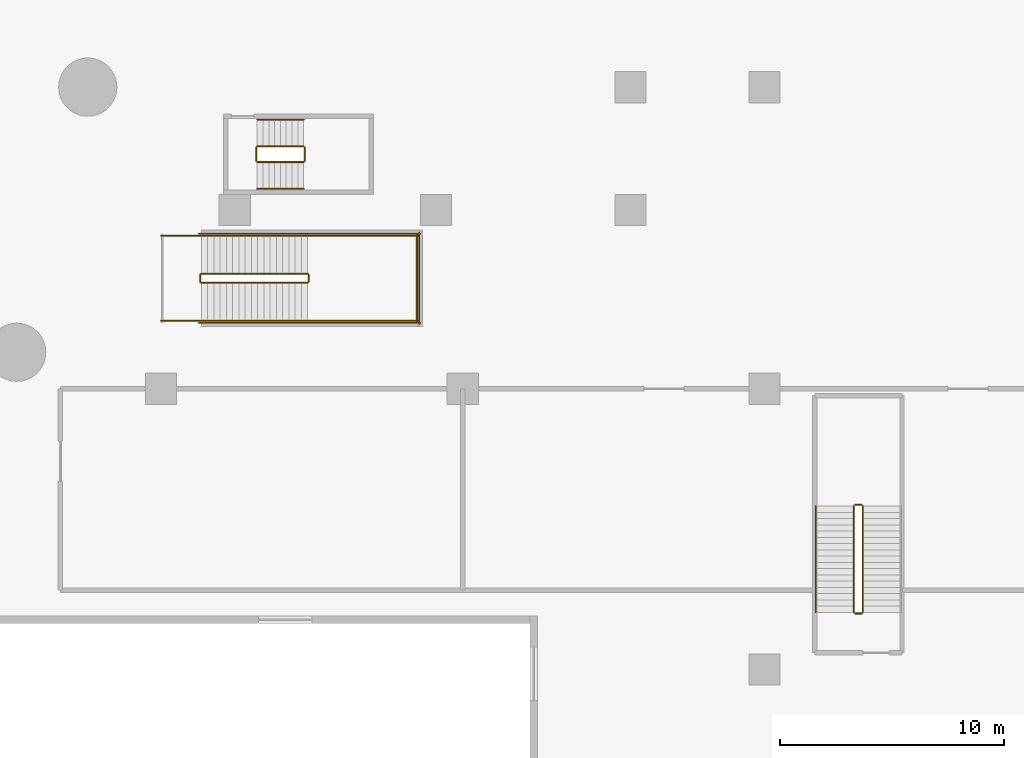
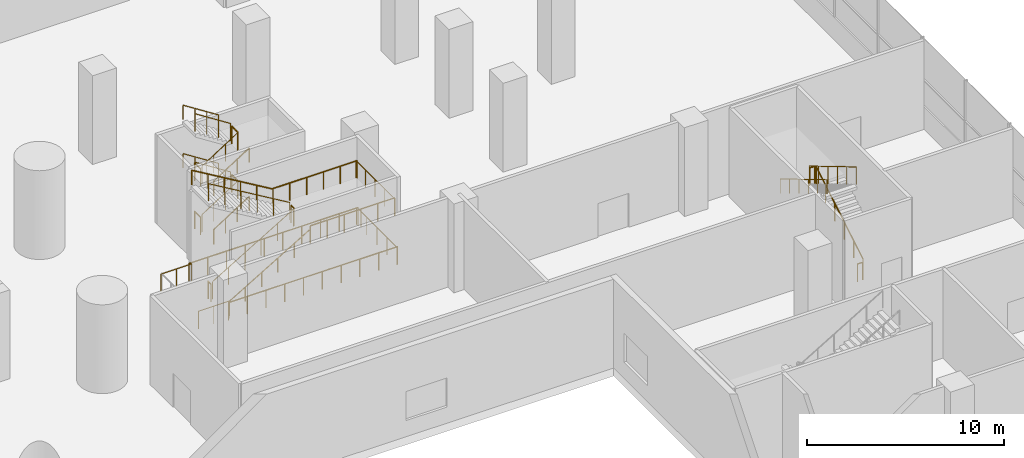
# One storey, part 46 of 52: 31 railings.
"""IFC4 building model written with IfcOpenShell, lengths in metres."""

from ifc_helpers import new_model, si_unit, direction, frame, origin, origin_2d, place, context, subcontext, project, spatial, circle, extrude, material, type_object, element, save


model = new_model("IFC4")

# Units and contexts
model_context = context("Model", 3, precision=1e-05, world=origin(), true_north=direction((0.0, 1.0)))
body_context = subcontext(model_context, "Body", "Model", "MODEL_VIEW")
ifc_project = project(units=[si_unit("LENGTHUNIT", "METRE"), si_unit("AREAUNIT", "SQUARE_METRE"), si_unit("VOLUMEUNIT", "CUBIC_METRE"), si_unit("PLANEANGLEUNIT", "RADIAN"), si_unit("MASSUNIT", "GRAM", prefix="KILO")], contexts=[model_context])

# Site, building, storey
site_placement = place(None, origin())
site = spatial("IfcSite", under=ifc_project, at=site_placement, CompositionType="ELEMENT")
building_placement = place(site_placement, origin())
building = spatial("IfcBuilding", under=site, at=building_placement, Name="Tamarind Cross Interchange Tower", CompositionType="ELEMENT")
storey_placement = place(building_placement, frame((0.0, 0.0, 9.0)))
storey = spatial("IfcBuildingStorey", under=building, at=storey_placement, Name="L01", CompositionType="ELEMENT", Elevation=9.0)

# Railings
ifc_material_1 = material(Name="Public stair guard")
railing_type_1 = type_object("IfcRailingType", Name="Public stair guard", PredefinedType="GUARDRAIL", material=ifc_material_1)
railing_1_placement = place(storey_placement, frame((28.800048828125, -8.75, 0.166748046875)))
element("IfcRailing", 1, at=railing_1_placement, inside=storey, type_object=railing_type_1, Name="L01 PS-E stair guard 1", PredefinedType="GUARDRAIL", context=body_context, shape_type="SweptSolid", body=[
    extrude(circle(Radius=0.02392578125, at=origin_2d()), frame((0.0, 0.0, 1.076171875), z_axis=(0.859299802514, 0.0, 0.511472237174), x_axis=(0.0, 1.0, 0.0)), (0.0, 0.0, 1.0), 5.539306640625),
    extrude(circle(Radius=0.02099609375, at=origin_2d()), origin(), (0.0, 0.0, 1.0), 1.052001953125),
    extrude(circle(Radius=0.02099609375, at=origin_2d()), frame((0.951904296875, 0.0, 0.566650390625)), (0.0, 0.0, 1.0), 1.052001953125),
    extrude(circle(Radius=0.02099609375, at=origin_2d()), frame((1.904052734375, 0.0, 1.13330078125)), (0.0, 0.0, 1.0), 1.052001953125),
    extrude(circle(Radius=0.02099609375, at=origin_2d()), frame((2.85595703125, 0.0, 1.699951171875)), (0.0, 0.0, 1.0), 1.052001953125),
    extrude(circle(Radius=0.02099609375, at=origin_2d()), frame((3.80810546875, 0.0, 2.2666015625)), (0.0, 0.0, 1.0), 1.052001953125),
    extrude(circle(Radius=0.02099609375, at=origin_2d()), frame((4.760009765625, 0.0, 2.833251953125)), (0.0, 0.0, 1.0), 1.052001953125),
])
railing_2_placement = place(storey_placement, frame((33.610107421875, -8.699951171875, 3.0)))
element("IfcRailing", 2, at=railing_2_placement, inside=storey, type_object=railing_type_1, Name="L01 PS-E stair guard 2", PredefinedType="GUARDRAIL", context=body_context, shape_type="SweptSolid", body=[
    extrude(circle(Radius=0.02392578125, at=origin_2d()), frame((0.0, 0.0, 1.076171875), z_axis=(0.0, 1.0, 0.0), x_axis=(-1.0, 0.0, 0.0)), (0.0, 0.0, 1.0), 0.300048828125),
    extrude(circle(Radius=0.02099609375, at=origin_2d()), origin(), (0.0, 0.0, 1.0), 1.052001953125),
    extrude(circle(Radius=0.02099609375, at=origin_2d()), frame((0.0, 0.300048828125, 0.0)), (0.0, 0.0, 1.0), 1.052001953125),
])
for number, where, name in (
    (3, (33.56005859375, -10.449951171875, 3.0), "L01 PS-E stair guard 3"),
    (4, (33.56005859375, -6.64990234375, 3.0), "L01 PS-E stair guard 4"),
):
    element("IfcRailing", number, at=place(storey_placement, frame(where)), inside=storey, type_object=railing_type_1, Name=name, PredefinedType="GUARDRAIL", context=body_context, shape_type="SweptSolid", body=[
        extrude(circle(Radius=0.02392578125, at=origin_2d()), frame((0.0, 0.0, 1.076171875), z_axis=(1.0, 0.0, 0.0), x_axis=(0.0, 1.0, 0.0)), (0.0, 0.0, 1.0), 4.93994140625),
        extrude(circle(Radius=0.02099609375, at=origin_2d()), origin(), (0.0, 0.0, 1.0), 1.052001953125),
        extrude(circle(Radius=0.02099609375, at=origin_2d()), frame((0.988037109375, 0.0, 0.0)), (0.0, 0.0, 1.0), 1.052001953125),
        extrude(circle(Radius=0.02099609375, at=origin_2d()), frame((1.97607421875, 0.0, 0.0)), (0.0, 0.0, 1.0), 1.052001953125),
        extrude(circle(Radius=0.02099609375, at=origin_2d()), frame((2.9638671875, 0.0, 0.0)), (0.0, 0.0, 1.0), 1.052001953125),
        extrude(circle(Radius=0.02099609375, at=origin_2d()), frame((3.951904296875, 0.0, 0.0)), (0.0, 0.0, 1.0), 1.052001953125),
        extrude(circle(Radius=0.02099609375, at=origin_2d()), frame((4.93994140625, 0.0, 0.0)), (0.0, 0.0, 1.0), 1.052001953125),
    ])
railing_3_placement = place(storey_placement, frame((38.449951171875, -10.5, 3.0)))
element("IfcRailing", 5, at=railing_3_placement, inside=storey, type_object=railing_type_1, Name="L01 PS-E stair guard 5", PredefinedType="GUARDRAIL", context=body_context, shape_type="SweptSolid", body=[
    extrude(circle(Radius=0.02392578125, at=origin_2d()), frame((0.0, 0.0, 1.076171875), z_axis=(0.0, 1.0, 0.0), x_axis=(-1.0, 0.0, 0.0)), (0.0, 0.0, 1.0), 3.89990234375),
    extrude(circle(Radius=0.02099609375, at=origin_2d()), origin(), (0.0, 0.0, 1.0), 1.052001953125),
    extrude(circle(Radius=0.02099609375, at=origin_2d()), frame((0.0, 0.97509765625, 0.0)), (0.0, 0.0, 1.0), 1.052001953125),
    extrude(circle(Radius=0.02099609375, at=origin_2d()), frame((0.0, 1.949951171875, 0.0)), (0.0, 0.0, 1.0), 1.052001953125),
    extrude(circle(Radius=0.02099609375, at=origin_2d()), frame((0.0, 2.9248046875, 0.0)), (0.0, 0.0, 1.0), 1.052001953125),
    extrude(circle(Radius=0.02099609375, at=origin_2d()), frame((0.0, 3.89990234375, 0.0)), (0.0, 0.0, 1.0), 1.052001953125),
])
railing_4_placement = place(storey_placement, frame((33.56005859375, -8.35009765625, 3.166748046875)))
element("IfcRailing", 6, at=railing_4_placement, inside=storey, type_object=railing_type_1, Name="L01 PS-E stair guard 6", PredefinedType="GUARDRAIL", context=body_context, shape_type="SweptSolid", body=[
    extrude(circle(Radius=0.02392578125, at=origin_2d()), frame((0.0, 0.0, 1.076171875), z_axis=(-0.859299802514, 0.0, 0.511472237174), x_axis=(0.0, -1.0, 0.0)), (0.0, 0.0, 1.0), 5.539306640625),
    extrude(circle(Radius=0.02099609375, at=origin_2d()), origin(), (0.0, 0.0, 1.0), 1.052001953125),
    extrude(circle(Radius=0.02099609375, at=origin_2d()), frame((-0.951904296875, 0.0, 0.566650390625)), (0.0, 0.0, 1.0), 1.052001953125),
    extrude(circle(Radius=0.02099609375, at=origin_2d()), frame((-1.904052734375, 0.0, 1.13330078125)), (0.0, 0.0, 1.0), 1.052001953125),
    extrude(circle(Radius=0.02099609375, at=origin_2d()), frame((-2.85595703125, 0.0, 1.699951171875)), (0.0, 0.0, 1.0), 1.052001953125),
    extrude(circle(Radius=0.02099609375, at=origin_2d()), frame((-3.80810546875, 0.0, 2.2666015625)), (0.0, 0.0, 1.0), 1.052001953125),
    extrude(circle(Radius=0.02099609375, at=origin_2d()), frame((-4.760009765625, 0.0, 2.833251953125)), (0.0, 0.0, 1.0), 1.052001953125),
])
railing_5_placement = place(storey_placement, frame((28.75, -8.699951171875, 0.0)))
element("IfcRailing", 7, at=railing_5_placement, inside=storey, type_object=railing_type_1, Name="L01 PS-E stair guard 7", PredefinedType="GUARDRAIL", context=body_context, shape_type="SweptSolid", body=[
    extrude(circle(Radius=0.02392578125, at=origin_2d()), frame((0.0, 0.0, 1.076171875), z_axis=(0.0, 1.0, 0.0), x_axis=(-1.0, 0.0, 0.0)), (0.0, 0.0, 1.0), 0.300048828125),
    extrude(circle(Radius=0.02099609375, at=origin_2d()), origin(), (0.0, 0.0, 1.0), 1.052001953125),
    extrude(circle(Radius=0.02099609375, at=origin_2d()), frame((0.0, 0.300048828125, 0.0)), (0.0, 0.0, 1.0), 1.052001953125),
])
for number, where, name in (
    (8, (27.0, -10.449951171875, 0.0), "L01 PS-E stair guard 8"),
    (9, (27.0, -6.64990234375, 0.0), "L01 PS-E stair guard 9"),
):
    element("IfcRailing", number, at=place(storey_placement, frame(where)), inside=storey, type_object=railing_type_1, Name=name, PredefinedType="GUARDRAIL", context=body_context, shape_type="SweptSolid", body=[
        extrude(circle(Radius=0.02392578125, at=origin_2d()), frame((0.0, 0.0, 1.076171875), z_axis=(1.0, 0.0, 0.0), x_axis=(0.0, 1.0, 0.0)), (0.0, 0.0, 1.0), 1.800048828125),
        extrude(circle(Radius=0.02099609375, at=origin_2d()), origin(), (0.0, 0.0, 1.0), 1.052001953125),
        extrude(circle(Radius=0.02099609375, at=origin_2d()), frame((0.89990234375, 0.0, 0.0)), (0.0, 0.0, 1.0), 1.052001953125),
        extrude(circle(Radius=0.02099609375, at=origin_2d()), frame((1.800048828125, 0.0, 0.0)), (0.0, 0.0, 1.0), 1.052001953125),
    ])
for number, where, name in (
    (10, (28.699951171875, -10.550048828125, 0.0), "L01 PS-E stair guard 11"),
    (11, (28.699951171875, -6.550048828125, 0.0), "L01 PS-E stair guard 12"),
):
    element("IfcRailing", number, at=place(storey_placement, frame(where)), inside=storey, type_object=railing_type_1, Name=name, PredefinedType="GUARDRAIL", context=body_context, shape_type="SweptSolid", body=[
        extrude(circle(Radius=0.02392578125, at=origin_2d()), frame((0.0, 0.0, 1.076171875), z_axis=(1.0, 0.0, 0.0), x_axis=(0.0, 1.0, 0.0)), (0.0, 0.0, 1.0), 9.900146484375),
        extrude(circle(Radius=0.02099609375, at=origin_2d()), origin(), (0.0, 0.0, 1.0), 1.052001953125),
        extrude(circle(Radius=0.02099609375, at=origin_2d()), frame((1.10009765625, 0.0, 0.0)), (0.0, 0.0, 1.0), 1.052001953125),
        extrude(circle(Radius=0.02099609375, at=origin_2d()), frame((2.199951171875, 0.0, 0.0)), (0.0, 0.0, 1.0), 1.052001953125),
        extrude(circle(Radius=0.02099609375, at=origin_2d()), frame((3.300048828125, 0.0, 0.0)), (0.0, 0.0, 1.0), 1.052001953125),
        extrude(circle(Radius=0.02099609375, at=origin_2d()), frame((4.400146484375, 0.0, 0.0)), (0.0, 0.0, 1.0), 1.052001953125),
        extrude(circle(Radius=0.02099609375, at=origin_2d()), frame((5.5, 0.0, 0.0)), (0.0, 0.0, 1.0), 1.052001953125),
        extrude(circle(Radius=0.02099609375, at=origin_2d()), frame((6.60009765625, 0.0, 0.0)), (0.0, 0.0, 1.0), 1.052001953125),
        extrude(circle(Radius=0.02099609375, at=origin_2d()), frame((7.7001953125, 0.0, 0.0)), (0.0, 0.0, 1.0), 1.052001953125),
        extrude(circle(Radius=0.02099609375, at=origin_2d()), frame((8.800048828125, 0.0, 0.0)), (0.0, 0.0, 1.0), 1.052001953125),
        extrude(circle(Radius=0.02099609375, at=origin_2d()), frame((9.900146484375, 0.0, 0.0)), (0.0, 0.0, 1.0), 1.052001953125),
    ])
railing_6_placement = place(storey_placement, frame((38.550048828125, -10.60009765625, 0.0)))
element("IfcRailing", 12, at=railing_6_placement, inside=storey, type_object=railing_type_1, Name="L01 PS-E stair guard 13", PredefinedType="GUARDRAIL", context=body_context, shape_type="SweptSolid", body=[
    extrude(circle(Radius=0.02392578125, at=origin_2d()), frame((0.0, 0.0, 1.076171875), z_axis=(0.0, 1.0, 0.0), x_axis=(-1.0, 0.0, 0.0)), (0.0, 0.0, 1.0), 4.10009765625),
    extrude(circle(Radius=0.02099609375, at=origin_2d()), origin(), (0.0, 0.0, 1.0), 1.052001953125),
    extrude(circle(Radius=0.02099609375, at=origin_2d()), frame((0.0, 1.02490234375, 0.0)), (0.0, 0.0, 1.0), 1.052001953125),
    extrude(circle(Radius=0.02099609375, at=origin_2d()), frame((0.0, 2.050048828125, 0.0)), (0.0, 0.0, 1.0), 1.052001953125),
    extrude(circle(Radius=0.02099609375, at=origin_2d()), frame((0.0, 3.0751953125, 0.0)), (0.0, 0.0, 1.0), 1.052001953125),
    extrude(circle(Radius=0.02099609375, at=origin_2d()), frame((0.0, 4.10009765625, 0.0)), (0.0, 0.0, 1.0), 1.052001953125),
])
railing_7_placement = place(storey_placement, frame((58.39990234375, -23.5, 0.166748046875)))
element("IfcRailing", 13, at=railing_7_placement, inside=storey, type_object=railing_type_1, Name="L01 XS-P11 stair guard 1", PredefinedType="GUARDRAIL", context=body_context, shape_type="SweptSolid", body=[
    extrude(circle(Radius=0.02392578125, at=origin_2d()), frame((0.0, 0.0, 1.076171875), z_axis=(0.0, 0.859299802514, 0.511472237174), x_axis=(-1.0, 0.0, 0.0)), (0.0, 0.0, 1.0), 5.539306640625),
    extrude(circle(Radius=0.02099609375, at=origin_2d()), origin(), (0.0, 0.0, 1.0), 1.052001953125),
    extrude(circle(Radius=0.02099609375, at=origin_2d()), frame((0.0, 0.951904296875, 0.566650390625)), (0.0, 0.0, 1.0), 1.052001953125),
    extrude(circle(Radius=0.02099609375, at=origin_2d()), frame((0.0, 1.904052734375, 1.13330078125)), (0.0, 0.0, 1.0), 1.052001953125),
    extrude(circle(Radius=0.02099609375, at=origin_2d()), frame((0.0, 2.85595703125, 1.699951171875)), (0.0, 0.0, 1.0), 1.052001953125),
    extrude(circle(Radius=0.02099609375, at=origin_2d()), frame((0.0, 3.80810546875, 2.2666015625)), (0.0, 0.0, 1.0), 1.052001953125),
    extrude(circle(Radius=0.02099609375, at=origin_2d()), frame((0.0, 4.760009765625, 2.833251953125)), (0.0, 0.0, 1.0), 1.052001953125),
])
railing_8_placement = place(storey_placement, frame((58.35009765625, -18.68994140625, 3.0)))
element("IfcRailing", 14, at=railing_8_placement, inside=storey, type_object=railing_type_1, Name="L01 XS-P11 stair guard 2", PredefinedType="GUARDRAIL", context=body_context, shape_type="SweptSolid", body=[
    extrude(circle(Radius=0.02392578125, at=origin_2d()), frame((0.0, 0.0, 1.076171875), z_axis=(-1.0, 0.0, 0.0), x_axis=(0.0, -1.0, 0.0)), (0.0, 0.0, 1.0), 0.300048828125),
    extrude(circle(Radius=0.02099609375, at=origin_2d()), origin(), (0.0, 0.0, 1.0), 1.052001953125),
    extrude(circle(Radius=0.02099609375, at=origin_2d()), frame((-0.300048828125, 0.0, 0.0)), (0.0, 0.0, 1.0), 1.052001953125),
])
railing_9_placement = place(storey_placement, frame((58.0, -18.739990234375, 3.166748046875)))
element("IfcRailing", 15, at=railing_9_placement, inside=storey, type_object=railing_type_1, Name="L01 XS-P11 stair guard 3", PredefinedType="GUARDRAIL", context=body_context, shape_type="SweptSolid", body=[
    extrude(circle(Radius=0.02392578125, at=origin_2d()), frame((0.0, 0.0, 1.076171875), z_axis=(0.0, -0.859299802514, 0.511472237174), x_axis=(1.0, 0.0, 0.0)), (0.0, 0.0, 1.0), 5.539306640625),
    extrude(circle(Radius=0.02099609375, at=origin_2d()), origin(), (0.0, 0.0, 1.0), 1.052001953125),
    extrude(circle(Radius=0.02099609375, at=origin_2d()), frame((0.0, -0.951904296875, 0.566650390625)), (0.0, 0.0, 1.0), 1.052001953125),
    extrude(circle(Radius=0.02099609375, at=origin_2d()), frame((0.0, -1.904052734375, 1.13330078125)), (0.0, 0.0, 1.0), 1.052001953125),
    extrude(circle(Radius=0.02099609375, at=origin_2d()), frame((0.0, -2.85595703125, 1.699951171875)), (0.0, 0.0, 1.0), 1.052001953125),
    extrude(circle(Radius=0.02099609375, at=origin_2d()), frame((0.0, -3.80810546875, 2.2666015625)), (0.0, 0.0, 1.0), 1.052001953125),
    extrude(circle(Radius=0.02099609375, at=origin_2d()), frame((0.0, -4.760009765625, 2.833251953125)), (0.0, 0.0, 1.0), 1.052001953125),
])
railing_10_placement = place(storey_placement, frame((58.35009765625, -23.550048828125, 0.0)))
element("IfcRailing", 16, at=railing_10_placement, inside=storey, type_object=railing_type_1, Name="L01 XS-P11 stair guard 4", PredefinedType="GUARDRAIL", context=body_context, shape_type="SweptSolid", body=[
    extrude(circle(Radius=0.02392578125, at=origin_2d()), frame((0.0, 0.0, 1.076171875), z_axis=(-1.0, 0.0, 0.0), x_axis=(0.0, -1.0, 0.0)), (0.0, 0.0, 1.0), 0.300048828125),
    extrude(circle(Radius=0.02099609375, at=origin_2d()), origin(), (0.0, 0.0, 1.0), 1.052001953125),
    extrude(circle(Radius=0.02099609375, at=origin_2d()), frame((-0.300048828125, 0.0, 0.0)), (0.0, 0.0, 1.0), 1.052001953125),
])
ifc_material_2 = material(Name="Public stair handrail")
railing_type_2 = type_object("IfcRailingType", Name="Public stair handrail", PredefinedType="HANDRAIL", material=ifc_material_2)
railing_11_placement = place(storey_placement, frame((28.800048828125, -10.449951171875, 0.166748046875)))
element("IfcRailing", 17, at=railing_11_placement, inside=storey, type_object=railing_type_2, Name="L01 PS-E stair handrail 1", PredefinedType="HANDRAIL", context=body_context, shape_type="SweptSolid", body=[
    extrude(circle(Radius=0.02392578125, at=origin_2d()), frame((0.0, 0.0, 0.8759765625), z_axis=(0.859299802514, 0.0, 0.511472237174), x_axis=(0.0, 1.0, 0.0)), (0.0, 0.0, 1.0), 5.539306640625),
    extrude(circle(Radius=0.02099609375, at=origin_2d()), origin(), (0.0, 0.0, 1.0), 0.851806640625),
    extrude(circle(Radius=0.02099609375, at=origin_2d()), frame((0.951904296875, 0.0, 0.566650390625)), (0.0, 0.0, 1.0), 0.851806640625),
    extrude(circle(Radius=0.02099609375, at=origin_2d()), frame((1.904052734375, 0.0, 1.13330078125)), (0.0, 0.0, 1.0), 0.851806640625),
    extrude(circle(Radius=0.02099609375, at=origin_2d()), frame((2.85595703125, 0.0, 1.699951171875)), (0.0, 0.0, 1.0), 0.851806640625),
    extrude(circle(Radius=0.02099609375, at=origin_2d()), frame((3.80810546875, 0.0, 2.2666015625)), (0.0, 0.0, 1.0), 0.851806640625),
    extrude(circle(Radius=0.02099609375, at=origin_2d()), frame((4.760009765625, 0.0, 2.833251953125)), (0.0, 0.0, 1.0), 0.851806640625),
])
railing_12_placement = place(storey_placement, frame((33.56005859375, -6.64990234375, 3.166748046875)))
element("IfcRailing", 18, at=railing_12_placement, inside=storey, type_object=railing_type_2, Name="L01 PS-E stair handrail 2", PredefinedType="HANDRAIL", context=body_context, shape_type="SweptSolid", body=[
    extrude(circle(Radius=0.02392578125, at=origin_2d()), frame((0.0, 0.0, 0.8759765625), z_axis=(-0.859299802514, 0.0, 0.511472237174), x_axis=(0.0, -1.0, 0.0)), (0.0, 0.0, 1.0), 5.539306640625),
    extrude(circle(Radius=0.02099609375, at=origin_2d()), origin(), (0.0, 0.0, 1.0), 0.851806640625),
    extrude(circle(Radius=0.02099609375, at=origin_2d()), frame((-0.951904296875, 0.0, 0.566650390625)), (0.0, 0.0, 1.0), 0.851806640625),
    extrude(circle(Radius=0.02099609375, at=origin_2d()), frame((-1.904052734375, 0.0, 1.13330078125)), (0.0, 0.0, 1.0), 0.851806640625),
    extrude(circle(Radius=0.02099609375, at=origin_2d()), frame((-2.85595703125, 0.0, 1.699951171875)), (0.0, 0.0, 1.0), 0.851806640625),
    extrude(circle(Radius=0.02099609375, at=origin_2d()), frame((-3.80810546875, 0.0, 2.2666015625)), (0.0, 0.0, 1.0), 0.851806640625),
    extrude(circle(Radius=0.02099609375, at=origin_2d()), frame((-4.760009765625, 0.0, 2.833251953125)), (0.0, 0.0, 1.0), 0.851806640625),
])
railing_13_placement = place(storey_placement, frame((56.300048828125, -18.739990234375, 3.166748046875)))
element("IfcRailing", 19, at=railing_13_placement, inside=storey, type_object=railing_type_2, Name="L01 XS-P11 stair handrail 2", PredefinedType="HANDRAIL", context=body_context, shape_type="SweptSolid", body=[
    extrude(circle(Radius=0.02392578125, at=origin_2d()), frame((0.0, 0.0, 0.8759765625), z_axis=(0.0, -0.859299802514, 0.511472237174), x_axis=(1.0, 0.0, 0.0)), (0.0, 0.0, 1.0), 5.539306640625),
    extrude(circle(Radius=0.02099609375, at=origin_2d()), origin(), (0.0, 0.0, 1.0), 0.851806640625),
    extrude(circle(Radius=0.02099609375, at=origin_2d()), frame((0.0, -0.951904296875, 0.566650390625)), (0.0, 0.0, 1.0), 0.851806640625),
    extrude(circle(Radius=0.02099609375, at=origin_2d()), frame((0.0, -1.904052734375, 1.13330078125)), (0.0, 0.0, 1.0), 0.851806640625),
    extrude(circle(Radius=0.02099609375, at=origin_2d()), frame((0.0, -2.85595703125, 1.699951171875)), (0.0, 0.0, 1.0), 0.851806640625),
    extrude(circle(Radius=0.02099609375, at=origin_2d()), frame((0.0, -3.80810546875, 2.2666015625)), (0.0, 0.0, 1.0), 0.851806640625),
    extrude(circle(Radius=0.02099609375, at=origin_2d()), frame((0.0, -4.760009765625, 2.833251953125)), (0.0, 0.0, 1.0), 0.851806640625),
])
ifc_material_3 = material(Name="Stair guard")
railing_type_3 = type_object("IfcRailingType", Name="Stair guard", PredefinedType="GUARDRAIL", material=ifc_material_3)
railing_14_placement = place(storey_placement, frame((31.300048828125, -3.35009765625, 0.166748046875)))
element("IfcRailing", 20, at=railing_14_placement, inside=storey, type_object=railing_type_3, Name="L01 ST3 stair guard 1", PredefinedType="GUARDRAIL", context=body_context, shape_type="SweptSolid", body=[
    extrude(circle(Radius=0.02392578125, at=origin_2d()), frame((0.0, 0.0, 1.076171875), z_axis=(0.84187453394, 0.0, 0.539673298491), x_axis=(0.0, 1.0, 0.0)), (0.0, 0.0, 1.0), 2.470458984375),
    extrude(circle(Radius=0.02099609375, at=origin_2d()), origin(), (0.0, 0.0, 1.0), 1.052001953125),
    extrude(circle(Radius=0.02099609375, at=origin_2d()), frame((0.693359375, 0.0, 0.4443359375)), (0.0, 0.0, 1.0), 1.052001953125),
    extrude(circle(Radius=0.02099609375, at=origin_2d()), frame((1.386474609375, 0.0, 0.888916015625)), (0.0, 0.0, 1.0), 1.052001953125),
    extrude(circle(Radius=0.02099609375, at=origin_2d()), frame((2.079833984375, 0.0, 1.333251953125)), (0.0, 0.0, 1.0), 1.052001953125),
])
railing_15_placement = place(storey_placement, frame((33.429931640625, -3.300048828125, 1.5)))
element("IfcRailing", 21, at=railing_15_placement, inside=storey, type_object=railing_type_3, Name="L01 ST3 stair guard 2", PredefinedType="GUARDRAIL", context=body_context, shape_type="SweptSolid", body=[
    extrude(circle(Radius=0.02392578125, at=origin_2d()), frame((0.0, 0.0, 1.076171875), z_axis=(0.0, 1.0, 0.0), x_axis=(-1.0, 0.0, 0.0)), (0.0, 0.0, 1.0), 0.60009765625),
    extrude(circle(Radius=0.02099609375, at=origin_2d()), origin(), (0.0, 0.0, 1.0), 1.052001953125),
    extrude(circle(Radius=0.02099609375, at=origin_2d()), frame((0.0, 0.60009765625, 0.0)), (0.0, 0.0, 1.0), 1.052001953125),
])
railing_16_placement = place(storey_placement, frame((33.3798828125, -2.64990234375, 1.666748046875)))
element("IfcRailing", 22, at=railing_16_placement, inside=storey, type_object=railing_type_3, Name="L01 ST3 stair guard 3", PredefinedType="GUARDRAIL", context=body_context, shape_type="SweptSolid", body=[
    extrude(circle(Radius=0.02392578125, at=origin_2d()), frame((0.0, 0.0, 1.076171875), z_axis=(-0.84187453394, 0.0, 0.539673298491), x_axis=(0.0, -1.0, 0.0)), (0.0, 0.0, 1.0), 2.470458984375),
    extrude(circle(Radius=0.02099609375, at=origin_2d()), origin(), (0.0, 0.0, 1.0), 1.052001953125),
    extrude(circle(Radius=0.02099609375, at=origin_2d()), frame((-0.693359375, 0.0, 0.4443359375)), (0.0, 0.0, 1.0), 1.052001953125),
    extrude(circle(Radius=0.02099609375, at=origin_2d()), frame((-1.386474609375, 0.0, 0.888916015625)), (0.0, 0.0, 1.0), 1.052001953125),
    extrude(circle(Radius=0.02099609375, at=origin_2d()), frame((-2.079833984375, 0.0, 1.333251953125)), (0.0, 0.0, 1.0), 1.052001953125),
])
railing_17_placement = place(storey_placement, frame((31.25, -3.300048828125, 3.0)))
element("IfcRailing", 23, at=railing_17_placement, inside=storey, type_object=railing_type_3, Name="L01 ST3 stair guard 4", PredefinedType="GUARDRAIL", context=body_context, shape_type="SweptSolid", body=[
    extrude(circle(Radius=0.02392578125, at=origin_2d()), frame((0.0, 0.0, 1.076171875), z_axis=(0.0, 1.0, 0.0), x_axis=(-1.0, 0.0, 0.0)), (0.0, 0.0, 1.0), 0.60009765625),
    extrude(circle(Radius=0.02099609375, at=origin_2d()), origin(), (0.0, 0.0, 1.0), 1.052001953125),
    extrude(circle(Radius=0.02099609375, at=origin_2d()), frame((0.0, 0.60009765625, 0.0)), (0.0, 0.0, 1.0), 1.052001953125),
])
railing_18_placement = place(storey_placement, frame((31.300048828125, -3.35009765625, 3.166748046875)))
element("IfcRailing", 24, at=railing_18_placement, inside=storey, type_object=railing_type_3, Name="L01 ST3 stair guard 5", PredefinedType="GUARDRAIL", context=body_context, shape_type="SweptSolid", body=[
    extrude(circle(Radius=0.02392578125, at=origin_2d()), frame((0.0, 0.0, 1.076171875), z_axis=(0.84187453394, 0.0, 0.539673298491), x_axis=(0.0, 1.0, 0.0)), (0.0, 0.0, 1.0), 2.470458984375),
    extrude(circle(Radius=0.02099609375, at=origin_2d()), origin(), (0.0, 0.0, 1.0), 1.052001953125),
    extrude(circle(Radius=0.02099609375, at=origin_2d()), frame((0.693359375, 0.0, 0.4443359375)), (0.0, 0.0, 1.0), 1.052001953125),
    extrude(circle(Radius=0.02099609375, at=origin_2d()), frame((1.386474609375, 0.0, 0.888916015625)), (0.0, 0.0, 1.0), 1.052001953125),
    extrude(circle(Radius=0.02099609375, at=origin_2d()), frame((2.079833984375, 0.0, 1.333251953125)), (0.0, 0.0, 1.0), 1.052001953125),
])
railing_19_placement = place(storey_placement, frame((33.429931640625, -3.300048828125, 4.5)))
element("IfcRailing", 25, at=railing_19_placement, inside=storey, type_object=railing_type_3, Name="L01 ST3 stair guard 6", PredefinedType="GUARDRAIL", context=body_context, shape_type="SweptSolid", body=[
    extrude(circle(Radius=0.02392578125, at=origin_2d()), frame((0.0, 0.0, 1.076171875), z_axis=(0.0, 1.0, 0.0), x_axis=(-1.0, 0.0, 0.0)), (0.0, 0.0, 1.0), 0.60009765625),
    extrude(circle(Radius=0.02099609375, at=origin_2d()), origin(), (0.0, 0.0, 1.0), 1.052001953125),
    extrude(circle(Radius=0.02099609375, at=origin_2d()), frame((0.0, 0.60009765625, 0.0)), (0.0, 0.0, 1.0), 1.052001953125),
])
railing_20_placement = place(storey_placement, frame((33.3798828125, -2.64990234375, 4.666748046875)))
element("IfcRailing", 26, at=railing_20_placement, inside=storey, type_object=railing_type_3, Name="L01 ST3 stair guard 7", PredefinedType="GUARDRAIL", context=body_context, shape_type="SweptSolid", body=[
    extrude(circle(Radius=0.02392578125, at=origin_2d()), frame((0.0, 0.0, 1.076171875), z_axis=(-0.84187453394, 0.0, 0.539673298491), x_axis=(0.0, -1.0, 0.0)), (0.0, 0.0, 1.0), 2.470458984375),
    extrude(circle(Radius=0.02099609375, at=origin_2d()), origin(), (0.0, 0.0, 1.0), 1.052001953125),
    extrude(circle(Radius=0.02099609375, at=origin_2d()), frame((-0.693359375, 0.0, 0.4443359375)), (0.0, 0.0, 1.0), 1.052001953125),
    extrude(circle(Radius=0.02099609375, at=origin_2d()), frame((-1.386474609375, 0.0, 0.888916015625)), (0.0, 0.0, 1.0), 1.052001953125),
    extrude(circle(Radius=0.02099609375, at=origin_2d()), frame((-2.079833984375, 0.0, 1.333251953125)), (0.0, 0.0, 1.0), 1.052001953125),
])
railing_21_placement = place(storey_placement, frame((31.25, -3.300048828125, 0.0)))
element("IfcRailing", 27, at=railing_21_placement, inside=storey, type_object=railing_type_3, Name="L01 ST3 stair guard 8", PredefinedType="GUARDRAIL", context=body_context, shape_type="SweptSolid", body=[
    extrude(circle(Radius=0.02392578125, at=origin_2d()), frame((0.0, 0.0, 1.076171875), z_axis=(0.0, 1.0, 0.0), x_axis=(-1.0, 0.0, 0.0)), (0.0, 0.0, 1.0), 0.60009765625),
    extrude(circle(Radius=0.02099609375, at=origin_2d()), origin(), (0.0, 0.0, 1.0), 1.052001953125),
    extrude(circle(Radius=0.02099609375, at=origin_2d()), frame((0.0, 0.60009765625, 0.0)), (0.0, 0.0, 1.0), 1.052001953125),
])
ifc_material_4 = material(Name="Stair handrail")
railing_type_4 = type_object("IfcRailingType", Name="Stair handrail", PredefinedType="HANDRAIL", material=ifc_material_4)
railing_22_placement = place(storey_placement, frame((31.300048828125, -4.550048828125, 0.166748046875)))
element("IfcRailing", 28, at=railing_22_placement, inside=storey, type_object=railing_type_4, Name="L01 ST3 stair handrail 1", PredefinedType="HANDRAIL", context=body_context, shape_type="SweptSolid", body=[
    extrude(circle(Radius=0.02392578125, at=origin_2d()), frame((0.0, 0.0, 0.8759765625), z_axis=(0.84187453394, 0.0, 0.539673298491), x_axis=(0.0, 1.0, 0.0)), (0.0, 0.0, 1.0), 2.470458984375),
    extrude(circle(Radius=0.02099609375, at=origin_2d()), origin(), (0.0, 0.0, 1.0), 0.851806640625),
    extrude(circle(Radius=0.02099609375, at=origin_2d()), frame((0.693359375, 0.0, 0.4443359375)), (0.0, 0.0, 1.0), 0.851806640625),
    extrude(circle(Radius=0.02099609375, at=origin_2d()), frame((1.386474609375, 0.0, 0.888916015625)), (0.0, 0.0, 1.0), 0.851806640625),
    extrude(circle(Radius=0.02099609375, at=origin_2d()), frame((2.079833984375, 0.0, 1.333251953125)), (0.0, 0.0, 1.0), 0.851806640625),
])
railing_23_placement = place(storey_placement, frame((33.3798828125, -1.449951171875, 1.666748046875)))
element("IfcRailing", 29, at=railing_23_placement, inside=storey, type_object=railing_type_4, Name="L01 ST3 stair handrail 2", PredefinedType="HANDRAIL", context=body_context, shape_type="SweptSolid", body=[
    extrude(circle(Radius=0.02392578125, at=origin_2d()), frame((0.0, 0.0, 0.8759765625), z_axis=(-0.84187453394, 0.0, 0.539673298491), x_axis=(0.0, -1.0, 0.0)), (0.0, 0.0, 1.0), 2.470458984375),
    extrude(circle(Radius=0.02099609375, at=origin_2d()), origin(), (0.0, 0.0, 1.0), 0.851806640625),
    extrude(circle(Radius=0.02099609375, at=origin_2d()), frame((-0.693359375, 0.0, 0.4443359375)), (0.0, 0.0, 1.0), 0.851806640625),
    extrude(circle(Radius=0.02099609375, at=origin_2d()), frame((-1.386474609375, 0.0, 0.888916015625)), (0.0, 0.0, 1.0), 0.851806640625),
    extrude(circle(Radius=0.02099609375, at=origin_2d()), frame((-2.079833984375, 0.0, 1.333251953125)), (0.0, 0.0, 1.0), 0.851806640625),
])
railing_24_placement = place(storey_placement, frame((31.300048828125, -4.550048828125, 3.166748046875)))
element("IfcRailing", 30, at=railing_24_placement, inside=storey, type_object=railing_type_4, Name="L01 ST3 stair handrail 3", PredefinedType="HANDRAIL", context=body_context, shape_type="SweptSolid", body=[
    extrude(circle(Radius=0.02392578125, at=origin_2d()), frame((0.0, 0.0, 0.8759765625), z_axis=(0.84187453394, 0.0, 0.539673298491), x_axis=(0.0, 1.0, 0.0)), (0.0, 0.0, 1.0), 2.470458984375),
    extrude(circle(Radius=0.02099609375, at=origin_2d()), origin(), (0.0, 0.0, 1.0), 0.851806640625),
    extrude(circle(Radius=0.02099609375, at=origin_2d()), frame((0.693359375, 0.0, 0.4443359375)), (0.0, 0.0, 1.0), 0.851806640625),
    extrude(circle(Radius=0.02099609375, at=origin_2d()), frame((1.386474609375, 0.0, 0.888916015625)), (0.0, 0.0, 1.0), 0.851806640625),
    extrude(circle(Radius=0.02099609375, at=origin_2d()), frame((2.079833984375, 0.0, 1.333251953125)), (0.0, 0.0, 1.0), 0.851806640625),
])
railing_25_placement = place(storey_placement, frame((33.3798828125, -1.449951171875, 4.666748046875)))
element("IfcRailing", 31, at=railing_25_placement, inside=storey, type_object=railing_type_4, Name="L01 ST3 stair handrail 4", PredefinedType="HANDRAIL", context=body_context, shape_type="SweptSolid", body=[
    extrude(circle(Radius=0.02392578125, at=origin_2d()), frame((0.0, 0.0, 0.8759765625), z_axis=(-0.84187453394, 0.0, 0.539673298491), x_axis=(0.0, -1.0, 0.0)), (0.0, 0.0, 1.0), 2.470458984375),
    extrude(circle(Radius=0.02099609375, at=origin_2d()), origin(), (0.0, 0.0, 1.0), 0.851806640625),
    extrude(circle(Radius=0.02099609375, at=origin_2d()), frame((-0.693359375, 0.0, 0.4443359375)), (0.0, 0.0, 1.0), 0.851806640625),
    extrude(circle(Radius=0.02099609375, at=origin_2d()), frame((-1.386474609375, 0.0, 0.888916015625)), (0.0, 0.0, 1.0), 0.851806640625),
    extrude(circle(Radius=0.02099609375, at=origin_2d()), frame((-2.079833984375, 0.0, 1.333251953125)), (0.0, 0.0, 1.0), 0.851806640625),
])

save(model, "model.ifc")
